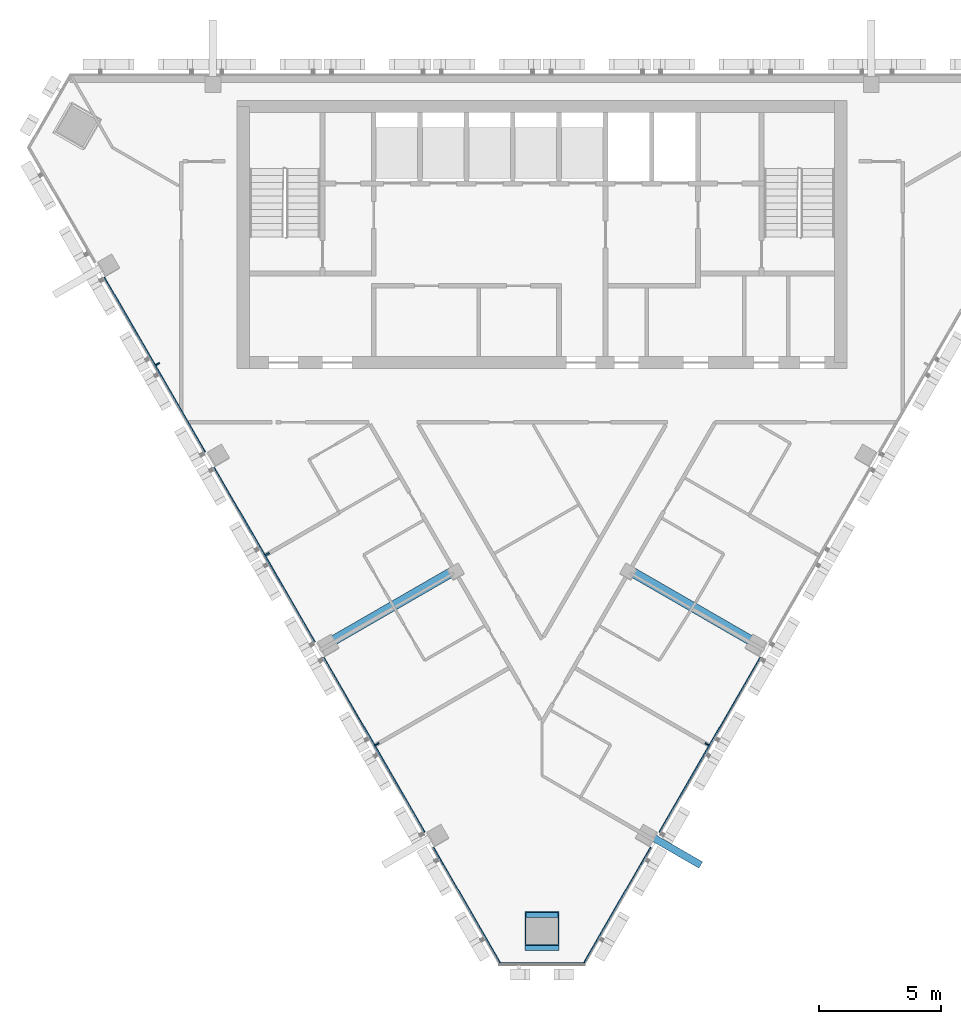
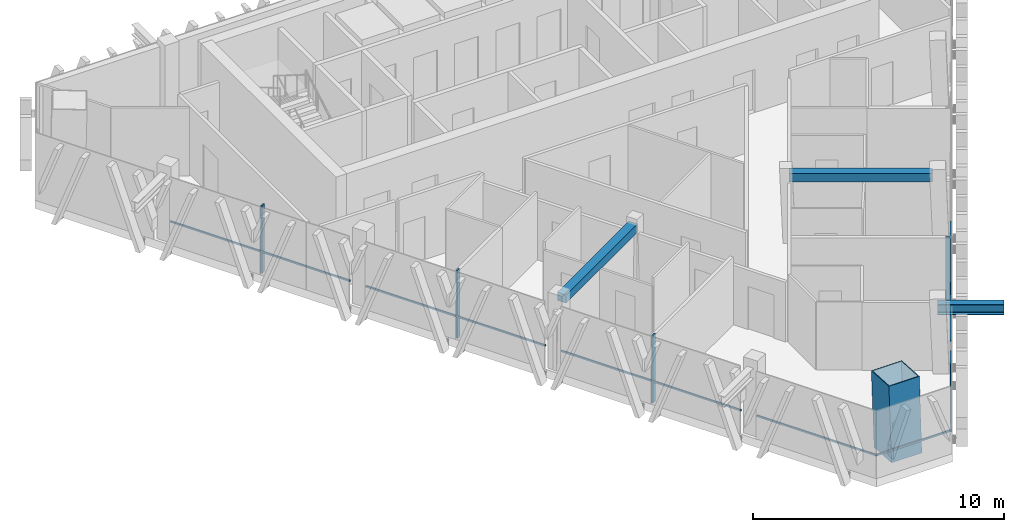
# One storey, part 2 of 12: 13 members, 2 beams, 3 elements without a shape of their own.
"""IFC4 building model written with IfcOpenShell, lengths in metres."""

from ifc_helpers import new_model, si_unit, direction, frame, origin, origin_2d, place, context, subcontext, project, spatial, rectangle, hollow_rectangle, i_section, extrude, material, layer, layer_set, material_profile, profile_set, type_object, element, aggregate, save


model = new_model("IFC4")

# Units and contexts
model_context = context("Model", 3, precision=1e-05, world=origin(), true_north=direction((0.0, 1.0)))
body_context = subcontext(model_context, "Body", "Model", "MODEL_VIEW")
ifc_project = project(units=[si_unit("LENGTHUNIT", "METRE"), si_unit("AREAUNIT", "SQUARE_METRE"), si_unit("VOLUMEUNIT", "CUBIC_METRE"), si_unit("PLANEANGLEUNIT", "RADIAN"), si_unit("MASSUNIT", "GRAM", prefix="KILO")], contexts=[model_context])

# Site, building, storey
site_placement = place(None, origin())
site = spatial("IfcSite", under=ifc_project, at=site_placement, CompositionType="ELEMENT")
building_placement = place(site_placement, origin())
building = spatial("IfcBuilding", under=site, at=building_placement, Name="Altiplano Prism Tower", CompositionType="ELEMENT")
storey_placement = place(building_placement, frame((0.0, 0.0, 331.0)))
storey = spatial("IfcBuildingStorey", under=building, at=storey_placement, Name="L86", CompositionType="ELEMENT", Elevation=331.0)

# Member
ifc_material_1 = material(Name="Steel S355", Category="steel")
ifc_material_profile_1 = material_profile(ifc_material_1, i_section(OverallWidth=0.300048828125, OverallDepth=0.5, WebThickness=0.014404296875, FlangeThickness=0.028076171875, FilletRadius=0.027099609375, at=origin_2d()), Name="Brace bracket HEB 500")
ifc_profile_set_1 = profile_set([ifc_material_profile_1], Name="Steel S355")
member_type_1 = type_object("IfcMemberType", Name="Brace bracket HEB 500", PredefinedType="STRUT", material=ifc_profile_set_1)
member_1_placement = place(storey_placement, frame((89.212158203125, 73.87158203125, 2.949951171875), z_axis=(0.866029095148, -0.499993606316, 0.0), x_axis=(0.499993606316, 0.866029095148, 0.0)))
element("IfcMember", 1, at=member_1_placement, inside=storey, type_object=member_type_1, Name="Brace bracket 2.334.6", PredefinedType="STRUT", context=body_context, shape_type="SweptSolid", body=[
    extrude(i_section(OverallWidth=0.300048828125, OverallDepth=0.5, WebThickness=0.014404296875, FlangeThickness=0.028076171875, FilletRadius=0.027099609375, at=origin_2d()), origin(), (0.0, 0.0, 1.0), 2.64990234375),
])

# Curtain wall, members
ifc_material_2 = material(Name="Aluminium and glass", Category="aluminium")
ifc_layer = layer(ifc_material_2, 0.280029296875)
ifc_layer_set = layer_set([ifc_layer], Name="Aluminium and glass")
curtain_wall_type = type_object("IfcCurtainWallType", Name="CW1 typical co-living unitised curtain wall", PredefinedType="NOTDEFINED", material=ifc_layer_set)
curtain_wall_1_placement = place(storey_placement, origin())
curtain_wall_1 = element("IfcCurtainWall", 2, at=curtain_wall_1_placement, inside=storey, type_object=curtain_wall_type, Name="CW1 curtain wall south-west face L86", PredefinedType="NOTDEFINED")
ifc_material_3 = material(Name="Aluminium", Category="aluminium")
ifc_material_profile_2 = material_profile(ifc_material_3, rectangle(XDim=0.179931640625, YDim=0.06494140625, at=origin_2d()), Name="CW1 mullion 65 x 180")
ifc_profile_set_2 = profile_set([ifc_material_profile_2], Name="Aluminium")
member_type_2 = type_object("IfcMemberType", Name="CW1 mullion 65 x 180", PredefinedType="MULLION", material=ifc_profile_set_2)
member_2_placement = place(storey_placement, frame((69.232666015625, 93.088623046875, 0.0), z_axis=(0.0, 0.0, 1.0), x_axis=(0.866025406324, 0.499999995602, 0.0)))
member_2 = element("IfcMember", 3, at=member_2_placement, type_object=member_type_2, Name="CW1 mullion", PredefinedType="MULLION", context=body_context, shape_type="SweptSolid", body=[
    extrude(rectangle(XDim=0.179931640625, YDim=0.06494140625, at=origin_2d()), origin(), (0.0, 0.0, 1.0), 3.300048828125),
])
member_3_placement = place(storey_placement, frame((73.732666015625, 85.29443359375, 0.0), z_axis=(0.0, 0.0, 1.0), x_axis=(0.866025406324, 0.499999995602, 0.0)))
member_3 = element("IfcMember", 4, at=member_3_placement, type_object=member_type_2, Name="CW1 mullion", PredefinedType="MULLION", context=body_context, shape_type="SweptSolid", body=[
    extrude(rectangle(XDim=0.179931640625, YDim=0.06494140625, at=origin_2d()), origin(), (0.0, 0.0, 1.0), 3.300048828125),
])
member_4_placement = place(storey_placement, frame((78.232666015625, 77.500244140625, 0.0), z_axis=(0.0, 0.0, 1.0), x_axis=(0.866025406324, 0.499999995602, 0.0)))
member_4 = element("IfcMember", 5, at=member_4_placement, type_object=member_type_2, Name="CW1 mullion", PredefinedType="MULLION", context=body_context, shape_type="SweptSolid", body=[
    extrude(rectangle(XDim=0.179931640625, YDim=0.06494140625, at=origin_2d()), origin(), (0.0, 0.0, 1.0), 3.300048828125),
])

# Curtain wall, member
curtain_wall_2_placement = place(storey_placement, origin())
curtain_wall_2 = element("IfcCurtainWall", 6, at=curtain_wall_2_placement, inside=storey, type_object=curtain_wall_type, Name="CW1 curtain wall south-east face L86", PredefinedType="NOTDEFINED")
member_5_placement = place(storey_placement, frame((91.767333984375, 77.500244140625, 0.0), z_axis=(0.0, 0.0, 1.0), x_axis=(-0.866025406324, 0.499999995602, 0.0)))
member_5 = element("IfcMember", 7, at=member_5_placement, type_object=member_type_2, Name="CW1 mullion", PredefinedType="MULLION", context=body_context, shape_type="SweptSolid", body=[
    extrude(rectangle(XDim=0.179931640625, YDim=0.06494140625, at=origin_2d()), origin(), (0.0, 0.0, 1.0), 3.300048828125),
])

# Member
ifc_material_profile_3 = material_profile(ifc_material_3, rectangle(XDim=0.06005859375, YDim=0.080078125, at=origin_2d()), Name="CW1 transom 80 x 60")
ifc_profile_set_3 = profile_set([ifc_material_profile_3], Name="Aluminium")
member_type_3 = type_object("IfcMemberType", Name="CW1 transom 80 x 60", PredefinedType="USERDEFINED", material=ifc_profile_set_3)
member_6_placement = place(storey_placement, frame((67.04150390625, 96.643798828125, 1.10009765625), z_axis=(0.50000951748, -0.866019908795, 0.0), x_axis=(0.866019908795, 0.50000951748, 0.0)))
member_6 = element("IfcMember", 8, at=member_6_placement, type_object=member_type_3, Name="CW1 transom", ObjectType="TRANSOM", PredefinedType="USERDEFINED", context=body_context, shape_type="SweptSolid", body=[
    extrude(rectangle(XDim=0.06005859375, YDim=0.080078125, at=origin_2d()), origin(), (0.0, 0.0, 1.0), 8.269775390625),
])

member_7_placement = place(storey_placement, frame((71.54150390625, 88.849609375, 1.10009765625), z_axis=(0.50000951748, -0.866019908795, 0.0), x_axis=(0.866019908795, 0.50000951748, 0.0)))
member_7 = element("IfcMember", 9, at=member_7_placement, type_object=member_type_3, Name="CW1 transom", ObjectType="TRANSOM", PredefinedType="USERDEFINED", context=body_context, shape_type="SweptSolid", body=[
    extrude(rectangle(XDim=0.06005859375, YDim=0.080078125, at=origin_2d()), origin(), (0.0, 0.0, 1.0), 8.269775390625),
])

member_8_placement = place(storey_placement, frame((76.04150390625, 81.055419921875, 1.10009765625), z_axis=(0.50000951748, -0.866019908795, 0.0), x_axis=(0.866019908795, 0.50000951748, 0.0)))
member_8 = element("IfcMember", 10, at=member_8_placement, type_object=member_type_3, Name="CW1 transom", ObjectType="TRANSOM", PredefinedType="USERDEFINED", context=body_context, shape_type="SweptSolid", body=[
    extrude(rectangle(XDim=0.06005859375, YDim=0.080078125, at=origin_2d()), origin(), (0.0, 0.0, 1.0), 8.269775390625),
])

member_9_placement = place(storey_placement, frame((80.54150390625, 73.26123046875, 1.10009765625), z_axis=(0.500017567259, -0.866015261085, 0.0), x_axis=(0.866015261085, 0.500017567259, 0.0)))
member_9 = element("IfcMember", 11, at=member_9_placement, type_object=member_type_3, Name="CW1 transom", ObjectType="TRANSOM", PredefinedType="USERDEFINED", context=body_context, shape_type="SweptSolid", body=[
    extrude(rectangle(XDim=0.06005859375, YDim=0.080078125, at=origin_2d()), origin(), (0.0, 0.0, 1.0), 5.537841796875),
])

aggregate(curtain_wall_1, [member_2, member_6, member_3, member_7, member_4, member_8, member_9])

# Curtain wall, member
curtain_wall_3_placement = place(storey_placement, origin())
curtain_wall_3 = element("IfcCurtainWall", 12, at=curtain_wall_3_placement, inside=storey, type_object=curtain_wall_type, Name="CW1 curtain wall south chamfer L86", PredefinedType="NOTDEFINED")
member_10_placement = place(storey_placement, frame((83.249755859375, 68.500244140625, 1.10009765625), z_axis=(1.0, 0.0, 0.0), x_axis=(0.0, 1.0, 0.0)))
member_10 = element("IfcMember", 13, at=member_10_placement, type_object=member_type_3, Name="CW1 transom", ObjectType="TRANSOM", PredefinedType="USERDEFINED", context=body_context, shape_type="SweptSolid", body=[
    extrude(rectangle(XDim=0.06005859375, YDim=0.080078125, at=origin_2d()), origin(), (0.0, 0.0, 1.0), 3.50048828125),
])
aggregate(curtain_wall_3, [member_10])

# Member
member_11_placement = place(storey_placement, frame((86.689453125, 68.46533203125, 1.10009765625), z_axis=(0.500017567259, 0.866015261085, 0.0), x_axis=(-0.866015261085, 0.500017567259, 0.0)))
member_11 = element("IfcMember", 14, at=member_11_placement, type_object=member_type_3, Name="CW1 transom", ObjectType="TRANSOM", PredefinedType="USERDEFINED", context=body_context, shape_type="SweptSolid", body=[
    extrude(rectangle(XDim=0.06005859375, YDim=0.080078125, at=origin_2d()), origin(), (0.0, 0.0, 1.0), 5.537841796875),
])

member_12_placement = place(storey_placement, frame((89.823486328125, 73.8935546875, 1.10009765625), z_axis=(0.50000951748, 0.866019908795, 0.0), x_axis=(-0.866019908795, 0.50000951748, 0.0)))
member_12 = element("IfcMember", 15, at=member_12_placement, type_object=member_type_3, Name="CW1 transom", ObjectType="TRANSOM", PredefinedType="USERDEFINED", context=body_context, shape_type="SweptSolid", body=[
    extrude(rectangle(XDim=0.06005859375, YDim=0.080078125, at=origin_2d()), origin(), (0.0, 0.0, 1.0), 8.269775390625),
])

aggregate(curtain_wall_2, [member_11, member_5, member_12])

ifc_material_4 = material(Name="Steel S460", Category="steel")
ifc_material_profile_4 = material_profile(ifc_material_4, hollow_rectangle(XDim=1.39990234375, YDim=1.39990234375, WallThickness=0.0400390625, at=origin_2d()), Name="Mega column tube 1400")
ifc_profile_set_4 = profile_set([ifc_material_profile_4], Name="Steel S460")
member_type_4 = type_object("IfcMemberType", Name="Mega column tube 1400", PredefinedType="POST", material=ifc_profile_set_4)
member_13_placement = place(storey_placement, frame((85.0, 69.730224609375, 0.0), z_axis=(0.0, 0.058356907999, 0.998295783467), x_axis=(-1.0, 0.0, 0.0)))
element("IfcMember", 16, at=member_13_placement, inside=storey, type_object=member_type_4, Name="Mega column tube M1 L86", PredefinedType="POST", context=body_context, shape_type="SweptSolid", body=[
    extrude(hollow_rectangle(XDim=1.39990234375, YDim=1.39990234375, WallThickness=0.0400390625, at=origin_2d()), origin(), (0.0, 0.0, 1.0), 3.606201171875),
])

# Beams
ifc_material_5 = material(Name="Concrete C60/75", Category="concrete")
ifc_material_profile_5 = material_profile(ifc_material_5, rectangle(XDim=0.39990234375, YDim=0.39990234375, at=origin_2d()), Name="Tie beam 400x400")
ifc_profile_set_5 = profile_set([ifc_material_profile_5], Name="Concrete C60/75")
beam_type = type_object("IfcBeamType", Name="Tie beam 400x400", PredefinedType="BEAM", material=ifc_profile_set_5)
for number, where, z_axis, x_axis, name in (
    (17, (81.414794921875, 84.6259765625, 3.10009765625), (-0.866018411832, -0.50001211022, 0.0), (0.50001211022, -0.866018411832, 0.0), "Tie beam I13 L87"),
    (18, (88.585205078125, 84.6259765625, 3.10009765625), (0.866018411832, -0.50001211022, 0.0), (0.50001211022, 0.866018411832, 0.0), "Tie beam I22 L87"),
):
    element("IfcBeam", number, at=place(storey_placement, frame(where, z_axis=z_axis, x_axis=x_axis)), inside=storey, type_object=beam_type, Name=name, PredefinedType="BEAM", context=body_context, shape_type="SweptSolid", body=[
        extrude(rectangle(XDim=0.39990234375, YDim=0.39990234375, at=origin_2d()), origin(), (0.0, 0.0, 1.0), 5.715087890625),
    ])

save(model, "model.ifc")
